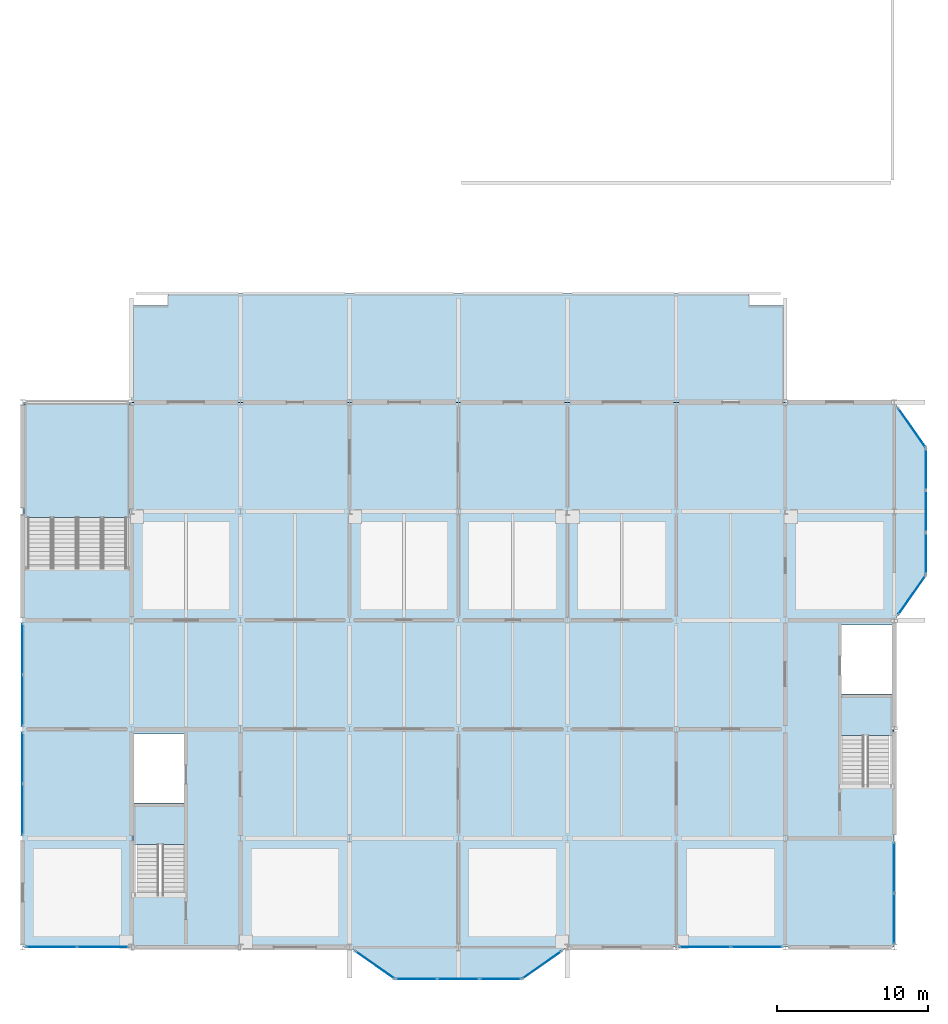
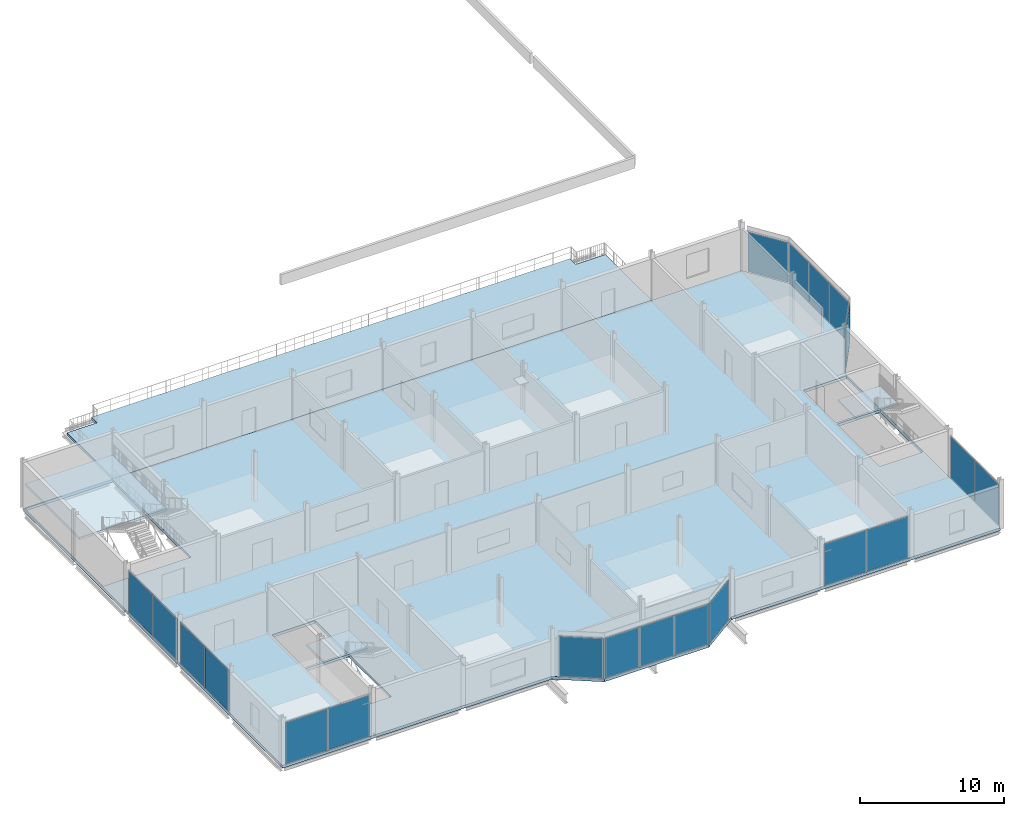
# One storey, part 17 of 26: 20 plates, 5 slabs, 14 elements without a shape of their own.
"""IFC4 building model written with IfcOpenShell, lengths in metres."""

import ifcopenshell
import ifcopenshell.guid

model = None  # the IFC model being written
_history = None  # IfcOwnerHistory: only IFC2X3 demands one
_inside = {}  # id of a spatial element -> (the spatial element, [elements in it])
_under = {}  # id of a project, library or spatial element -> (it, [spatial elements below it])
_declared = {}  # id of a project -> (the project, [libraries it declares])
_typed = {}  # id of a type object -> (the type object, [elements of that type])
_made_of = {}  # id of a material, layer set ... -> (it, [elements and type objects made of it])


def new_model(schema):
    """Start an empty IFC model of exactly this schema.

    Asked for "IFC4X3", IfcOpenShell would pick the latest addendum, in which some entities
    have other attributes; the version numbers below select the first issue.
    IFC2X3 requires an IfcOwnerHistory on every rooted entity: one is made here for all.
    """
    global model, _history
    if schema == "IFC4X3":
        model = ifcopenshell.file(schema_version=(4, 3, 0, 0))
    else:
        model = ifcopenshell.file(schema=schema)
    _inside.clear()
    _under.clear()
    _declared.clear()
    _typed.clear()
    _made_of.clear()
    _history = None
    if model.schema == "IFC2X3":
        org = make("IfcOrganization", Name="unknown")
        user = make(
            "IfcPersonAndOrganization",
            ThePerson=make("IfcPerson", FamilyName="unknown"),
            TheOrganization=org,
        )
        app = make(
            "IfcApplication",
            ApplicationDeveloper=org,
            Version="unknown",
            ApplicationFullName="unknown",
            ApplicationIdentifier="unknown",
        )
        _history = make(
            "IfcOwnerHistory",
            OwningUser=user,
            OwningApplication=app,
            ChangeAction="ADDED",
            CreationDate=0,
        )
    return model


def make(cls, **values):
    """One entity of the class cls with the attributes given. An attribute that is None is left unset."""
    return model.create_entity(
        cls, **{name: value for name, value in values.items() if value is not None}
    )


def rooted(cls, **values):
    """An entity with a GlobalId (a new one), such as an element, a storey or a relation."""
    return make(cls, GlobalId=ifcopenshell.guid.new(), OwnerHistory=_history, **values)


def si_unit(unit_type, name, prefix=None):
    """IfcSIUnit, for example si_unit("LENGTHUNIT", "METRE", prefix="MILLI")."""
    return make("IfcSIUnit", UnitType=unit_type, Prefix=prefix, Name=name)


def assignment(units):
    """IfcUnitAssignment: the units of a project."""
    return None if units is None else make("IfcUnitAssignment", Units=units)


def point(xyz):
    """IfcCartesianPoint."""
    return None if xyz is None else make("IfcCartesianPoint", Coordinates=xyz)


def direction(xyz):
    """IfcDirection."""
    return None if xyz is None else make("IfcDirection", DirectionRatios=xyz)


def frame(location, z_axis=None, x_axis=None):
    """IfcAxis2Placement3D, a coordinate frame: its origin and axes. An axis left out is left unset."""
    return make(
        "IfcAxis2Placement3D",
        Location=point(location),
        Axis=direction(z_axis),
        RefDirection=direction(x_axis),
    )


def frame_2d(location, x_axis=None):
    """IfcAxis2Placement2D, a coordinate frame in the plane: its origin and x axis."""
    return make(
        "IfcAxis2Placement2D", Location=point(location), RefDirection=direction(x_axis)
    )


def origin():
    """The frame at (0, 0, 0) with its axes left unset."""
    return frame((0.0, 0.0, 0.0))


def origin_2d():
    """The frame at (0, 0) in the plane with its x axis left unset."""
    return frame_2d((0.0, 0.0))


def place(relative_to, where):
    """IfcLocalPlacement: puts the frame where relative to a parent placement (None: the world)."""
    return make(
        "IfcLocalPlacement", PlacementRelTo=relative_to, RelativePlacement=where
    )


def context(
    kind, dimensions, precision=None, world=None, true_north=None, identifier=None
):
    """IfcGeometricRepresentationContext, for example the 3D "Model" context."""
    return make(
        "IfcGeometricRepresentationContext",
        ContextIdentifier=identifier,
        ContextType=kind,
        CoordinateSpaceDimension=dimensions,
        Precision=precision,
        WorldCoordinateSystem=world,
        TrueNorth=true_north,
    )


def subcontext(parent, identifier, kind, view, scale=None):
    """IfcGeometricRepresentationSubContext, for example "Body" below "Model"."""
    return make(
        "IfcGeometricRepresentationSubContext",
        ContextIdentifier=identifier,
        ContextType=kind,
        ParentContext=parent,
        TargetScale=scale,
        TargetView=view,
    )


def project(units=None, contexts=None):
    """IfcProject with its units and contexts."""
    return rooted(
        "IfcProject",
        Name="project",
        RepresentationContexts=contexts,
        UnitsInContext=assignment(units),
    )


def spatial(cls, under=None, at=None, **own):
    """A site, building, storey or space (cls), placed at a placement, below another one or the project."""
    s = rooted(cls, ObjectPlacement=at, **own)
    if under is not None:
        _under.setdefault(under.id(), (under, []))[1].append(s)
    return s


def polyline(points):
    """IfcPolyline through the points."""
    return make("IfcPolyline", Points=[point(p) for p in points])


def profile(cls, at=None, kind="AREA", **sizes):
    """A parametric profile (cls). Its sizes go by their IFC names, for example OverallWidth=200.0."""
    return make(cls, ProfileType=kind, Position=at, **sizes)


def rectangle(**sizes):
    """IfcRectangleProfileDef."""
    return profile("IfcRectangleProfileDef", **sizes)


def outline(outer, holes=None, kind="AREA"):
    """IfcArbitraryClosedProfileDef: a profile drawn as a closed curve; with holes, ...WithVoids."""
    if holes is None:
        return make("IfcArbitraryClosedProfileDef", ProfileType=kind, OuterCurve=outer)
    return make(
        "IfcArbitraryProfileDefWithVoids",
        ProfileType=kind,
        OuterCurve=outer,
        InnerCurves=holes,
    )


def extrude(swept, where, along, depth):
    """IfcExtrudedAreaSolid: the profile swept, set in the frame where, extruded along a direction by depth."""
    return make(
        "IfcExtrudedAreaSolid",
        SweptArea=swept,
        Position=where,
        ExtrudedDirection=direction(along),
        Depth=depth,
    )


def shape(context_of_items, identifier, shape_type, items):
    """IfcShapeRepresentation: the items that make up one representation, for example the "Body"."""
    return make(
        "IfcShapeRepresentation",
        ContextOfItems=context_of_items,
        RepresentationIdentifier=identifier,
        RepresentationType=shape_type,
        Items=items,
    )


def material(Name=None, Category=None):
    """IfcMaterial."""
    return make("IfcMaterial", Name=Name, Category=Category)


def layer(
    of_material, thickness, ventilated=None, Name=None, Category=None, Priority=None
):
    """IfcMaterialLayer: one layer of a wall or slab, of a material (None: an air gap)."""
    return make(
        "IfcMaterialLayer",
        Material=of_material,
        LayerThickness=thickness,
        IsVentilated=ventilated,
        Name=Name,
        Category=Category,
        Priority=Priority,
    )


def layer_set(layers, Name=None):
    """IfcMaterialLayerSet."""
    return make("IfcMaterialLayerSet", MaterialLayers=layers, LayerSetName=Name)


def made_of(thing, what):
    """Note that an element or type object is made of a material, layer set ...; save() writes the relation."""
    if what is not None:
        _made_of.setdefault(what.id(), (what, []))[1].append(thing)
    return thing


def type_object(cls, material=None, **own):
    """A type object (cls), such as IfcWallType, which elements share."""
    return made_of(rooted(cls, **own), material)


def element(
    cls,
    number,
    at=None,
    inside=None,
    cuts=None,
    type_object=None,
    material=None,
    context=None,
    identifier="Body",
    shape_type=None,
    held_by="IfcProductDefinitionShape",
    body=None,
    shapes=None,
    **own,
):
    """One element of the class cls, such as IfcWall. Its Tag is "e" and its number.

    at: its placement. inside: the storey or other place that contains it. cuts: it is an
    opening in that element (IfcRelVoidsElement). A single representation is given by context,
    identifier, shape_type and body (its items); several are given by shapes. held_by: the class
    of the entity that holds the representations. save() writes the other relations.
    """
    e = rooted(cls, Tag="e%d" % number, ObjectPlacement=at, **own)
    if body is not None:
        shapes = [shape(context, identifier, shape_type, body)]
    if shapes is not None:
        e.Representation = make(held_by, Representations=shapes)
    if inside is not None:
        _inside.setdefault(inside.id(), (inside, []))[1].append(e)
    if cuts is not None:
        rooted(
            "IfcRelVoidsElement", RelatingBuildingElement=cuts, RelatedOpeningElement=e
        )
    if type_object is not None:
        _typed.setdefault(type_object.id(), (type_object, []))[1].append(e)
    return made_of(e, material)


def aggregate(whole, parts):
    """IfcRelAggregates: a whole, such as a stair, and the parts it consists of."""
    return rooted("IfcRelAggregates", RelatingObject=whole, RelatedObjects=parts)


def save(model, path):
    """Write the relations noted so far, then the file.

    IfcRelAggregates (storeys below a building ...), IfcRelContainedInSpatialStructure (elements
    in a storey), IfcRelDefinesByType, IfcRelAssociatesMaterial and IfcRelDeclares: one each for
    every whole, place, type object, material and project.
    """
    for whole, parts in _under.values():
        aggregate(whole, parts)
    for where, things in _inside.values():
        rooted(
            "IfcRelContainedInSpatialStructure",
            RelatedElements=things,
            RelatingStructure=where,
        )
    for kind, things in _typed.values():
        rooted("IfcRelDefinesByType", RelatedObjects=things, RelatingType=kind)
    for what, things in _made_of.values():
        rooted("IfcRelAssociatesMaterial", RelatedObjects=things, RelatingMaterial=what)
    for by, libraries in _declared.values():
        rooted("IfcRelDeclares", RelatingContext=by, RelatedDefinitions=libraries)
    model.write(path)


model = new_model("IFC4")

# Units and contexts
model_context = context("Model", 3, precision=1e-05, world=origin(), true_north=direction((0.0, 1.0)))
body_context = subcontext(model_context, "Body", "Model", "MODEL_VIEW")
ifc_project = project(units=[si_unit("LENGTHUNIT", "METRE"), si_unit("AREAUNIT", "SQUARE_METRE"), si_unit("VOLUMEUNIT", "CUBIC_METRE"), si_unit("PLANEANGLEUNIT", "RADIAN"), si_unit("MASSUNIT", "GRAM", prefix="KILO")], contexts=[model_context])

# Site, building, storey
site_placement = place(None, origin())
site = spatial("IfcSite", under=ifc_project, at=site_placement, CompositionType="ELEMENT")
building_placement = place(site_placement, origin())
building = spatial("IfcBuilding", under=site, at=building_placement, Name="Vesperath Aquatics Centre", CompositionType="ELEMENT")
storey_placement = place(building_placement, frame((0.0, 0.0, 19.199951171875)))
storey = spatial("IfcBuildingStorey", under=building, at=storey_placement, Name="L04", CompositionType="ELEMENT", Elevation=19.199951171875)

# Curtain wall, plate
ifc_material_1 = material(Name="Thermally broken anodised bronze aluminium curtain wall", Category="aluminium")
curtain_wall_type_1 = type_object("IfcCurtainWallType", Name="CW-03", PredefinedType="NOTDEFINED", material=ifc_material_1)
curtain_wall_1_placement = place(storey_placement, origin())
curtain_wall_1 = element("IfcCurtainWall", 1, at=curtain_wall_1_placement, inside=storey, type_object=curtain_wall_type_1, Name="South Boulevard Bow Oriel Curtain Wall L04-W", PredefinedType="NOTDEFINED")
ifc_material_2 = material(Name="Triple low-E argon insulated vision glass", Category="glass")
ifc_layer_1 = layer(ifc_material_2, 0.035888671875)
ifc_layer_set_1 = layer_set([ifc_layer_1], Name="Triple low-E argon insulated vision glass")
plate_type_1 = type_object("IfcPlateType", Name="PT-CWP03", PredefinedType="CURTAIN_PANEL", material=ifc_layer_set_1)
plate_1_placement = place(storey_placement, frame((138.47998046875, -1.176025390625, 0.070068359375), z_axis=(0.0, 0.0, 1.0), x_axis=(0.819231920515, -0.57346234437, 0.0)))
plate_1 = element("IfcPlate", 2, at=plate_1_placement, type_object=plate_type_1, Name="CW03 panel 1.1", PredefinedType="CURTAIN_PANEL", context=body_context, shape_type="SweptSolid", body=[
    extrude(rectangle(XDim=3.08251953125, YDim=0.035888671875, at=origin_2d()), origin(), (0.0, 0.0, 1.0), 3.3701171875),
])
aggregate(curtain_wall_1, [plate_1])

# Curtain wall, plates
curtain_wall_2_placement = place(storey_placement, origin())
curtain_wall_2 = element("IfcCurtainWall", 3, at=curtain_wall_2_placement, inside=storey, type_object=curtain_wall_type_1, Name="South Boulevard Bow Oriel Curtain Wall L04-C", PredefinedType="NOTDEFINED")
plate_2_placement = place(storey_placement, frame((141.217529296875, -2.10009765625, 0.070068359375), z_axis=(0.0, 0.0, 1.0), x_axis=(1.0, 0.0, 0.0)))
plate_2 = element("IfcPlate", 4, at=plate_2_placement, type_object=plate_type_1, Name="CW03 panel 1.1", PredefinedType="CURTAIN_PANEL", context=body_context, shape_type="SweptSolid", body=[
    extrude(rectangle(XDim=2.695068359375, YDim=0.035888671875, at=origin_2d()), origin(), (0.0, 0.0, 1.0), 3.3701171875),
])
plate_3_placement = place(storey_placement, frame((144.0, -2.10009765625, 0.070068359375), z_axis=(0.0, 0.0, 1.0), x_axis=(1.0, 0.0, 0.0)))
plate_3 = element("IfcPlate", 5, at=plate_3_placement, type_object=plate_type_1, Name="CW03 panel 2.1", PredefinedType="CURTAIN_PANEL", context=body_context, shape_type="SweptSolid", body=[
    extrude(rectangle(XDim=2.72998046875, YDim=0.035888671875, at=origin_2d()), origin(), (0.0, 0.0, 1.0), 3.3701171875),
])
plate_4_placement = place(storey_placement, frame((146.782470703125, -2.10009765625, 0.070068359375), z_axis=(0.0, 0.0, 1.0), x_axis=(1.0, 0.0, 0.0)))
plate_4 = element("IfcPlate", 6, at=plate_4_placement, type_object=plate_type_1, Name="CW03 panel 3.1", PredefinedType="CURTAIN_PANEL", context=body_context, shape_type="SweptSolid", body=[
    extrude(rectangle(XDim=2.695068359375, YDim=0.035888671875, at=origin_2d()), origin(), (0.0, 0.0, 1.0), 3.3701171875),
])
aggregate(curtain_wall_2, [plate_2, plate_3, plate_4])

# Curtain wall, plate
curtain_wall_3_placement = place(storey_placement, origin())
curtain_wall_3 = element("IfcCurtainWall", 7, at=curtain_wall_3_placement, inside=storey, type_object=curtain_wall_type_1, Name="South Boulevard Bow Oriel Curtain Wall L04-E", PredefinedType="NOTDEFINED")
plate_5_placement = place(storey_placement, frame((149.52001953125, -1.176025390625, 0.070068359375), z_axis=(0.0, 0.0, 1.0), x_axis=(0.819231920515, 0.57346234437, 0.0)))
plate_5 = element("IfcPlate", 8, at=plate_5_placement, type_object=plate_type_1, Name="CW03 panel 1.1", PredefinedType="CURTAIN_PANEL", context=body_context, shape_type="SweptSolid", body=[
    extrude(rectangle(XDim=3.08251953125, YDim=0.035888671875, at=origin_2d()), origin(), (0.0, 0.0, 1.0), 3.3701171875),
])
aggregate(curtain_wall_3, [plate_5])

# Curtain wall, plates
curtain_wall_type_2 = type_object("IfcCurtainWallType", Name="CW-07", PredefinedType="NOTDEFINED", material=ifc_material_1)
curtain_wall_4_placement = place(storey_placement, origin())
curtain_wall_4 = element("IfcCurtainWall", 9, at=curtain_wall_4_placement, inside=storey, type_object=curtain_wall_type_2, Name="Facade Curtain Wall CW07 L04_S_16_00", PredefinedType="NOTDEFINED")
ifc_layer_2 = layer(ifc_material_2, 0.035888671875)
ifc_layer_set_2 = layer_set([ifc_layer_2], Name="Triple low-E argon insulated vision glass")
plate_type_2 = type_object("IfcPlateType", Name="PT-CWP06", PredefinedType="CURTAIN_PANEL", material=ifc_layer_set_2)
plate_6_placement = place(storey_placement, frame((117.103759765625, 0.0, 0.06494140625), z_axis=(0.0, 0.0, 1.0), x_axis=(1.0, 0.0, 0.0)))
plate_6 = element("IfcPlate", 10, at=plate_6_placement, type_object=plate_type_2, Name="CW07 panel 1.1", PredefinedType="CURTAIN_PANEL", context=body_context, shape_type="SweptSolid", body=[
    extrude(rectangle(XDim=3.327392578125, YDim=0.035888671875, at=origin_2d()), origin(), (0.0, 0.0, 1.0), 3.510009765625),
])
plate_7_placement = place(storey_placement, frame((120.496337890625, 0.0, 0.06494140625), z_axis=(0.0, 0.0, 1.0), x_axis=(1.0, 0.0, 0.0)))
plate_7 = element("IfcPlate", 11, at=plate_7_placement, type_object=plate_type_2, Name="CW07 panel 2.1", PredefinedType="CURTAIN_PANEL", context=body_context, shape_type="SweptSolid", body=[
    extrude(rectangle(XDim=3.327392578125, YDim=0.035888671875, at=origin_2d()), origin(), (0.0, 0.0, 1.0), 3.510009765625),
])
aggregate(curtain_wall_4, [plate_6, plate_7])

curtain_wall_5_placement = place(storey_placement, origin())
curtain_wall_5 = element("IfcCurtainWall", 12, at=curtain_wall_5_placement, inside=storey, type_object=curtain_wall_type_2, Name="Facade Curtain Wall CW07 L04_S_22_00", PredefinedType="NOTDEFINED")
plate_8_placement = place(storey_placement, frame((160.3037109375, 0.0, 0.06494140625), z_axis=(0.0, 0.0, 1.0), x_axis=(1.0, 0.0, 0.0)))
plate_8 = element("IfcPlate", 13, at=plate_8_placement, type_object=plate_type_2, Name="CW07 panel 1.1", PredefinedType="CURTAIN_PANEL", context=body_context, shape_type="SweptSolid", body=[
    extrude(rectangle(XDim=3.327392578125, YDim=0.035888671875, at=origin_2d()), origin(), (0.0, 0.0, 1.0), 3.510009765625),
])
plate_9_placement = place(storey_placement, frame((163.6962890625, 0.0, 0.06494140625), z_axis=(0.0, 0.0, 1.0), x_axis=(1.0, 0.0, 0.0)))
plate_9 = element("IfcPlate", 14, at=plate_9_placement, type_object=plate_type_2, Name="CW07 panel 2.1", PredefinedType="CURTAIN_PANEL", context=body_context, shape_type="SweptSolid", body=[
    extrude(rectangle(XDim=3.327392578125, YDim=0.035888671875, at=origin_2d()), origin(), (0.0, 0.0, 1.0), 3.510009765625),
])
aggregate(curtain_wall_5, [plate_8, plate_9])

curtain_wall_6_placement = place(storey_placement, origin())
curtain_wall_6 = element("IfcCurtainWall", 15, at=curtain_wall_6_placement, inside=storey, type_object=curtain_wall_type_2, Name="Facade Curtain Wall CW07 L04_W_16_01", PredefinedType="NOTDEFINED")
plate_10_placement = place(storey_placement, frame((115.199951171875, 9.103759765625, 0.06494140625), z_axis=(0.0, 0.0, 1.0), x_axis=(0.0, 1.0, 0.0)))
plate_10 = element("IfcPlate", 16, at=plate_10_placement, type_object=plate_type_2, Name="CW07 panel 1.1", PredefinedType="CURTAIN_PANEL", context=body_context, shape_type="SweptSolid", body=[
    extrude(rectangle(XDim=3.327392578125, YDim=0.035888671875, at=origin_2d()), origin(), (0.0, 0.0, 1.0), 3.510009765625),
])
plate_11_placement = place(storey_placement, frame((115.199951171875, 12.496337890625, 0.06494140625), z_axis=(0.0, 0.0, 1.0), x_axis=(0.0, 1.0, 0.0)))
plate_11 = element("IfcPlate", 17, at=plate_11_placement, type_object=plate_type_2, Name="CW07 panel 2.1", PredefinedType="CURTAIN_PANEL", context=body_context, shape_type="SweptSolid", body=[
    extrude(rectangle(XDim=3.327392578125, YDim=0.035888671875, at=origin_2d()), origin(), (0.0, 0.0, 1.0), 3.510009765625),
])
aggregate(curtain_wall_6, [plate_10, plate_11])

curtain_wall_7_placement = place(storey_placement, origin())
curtain_wall_7 = element("IfcCurtainWall", 18, at=curtain_wall_7_placement, inside=storey, type_object=curtain_wall_type_2, Name="Facade Curtain Wall CW07 L04_W_16_02", PredefinedType="NOTDEFINED")
plate_12_placement = place(storey_placement, frame((115.199951171875, 16.3037109375, 0.06494140625), z_axis=(0.0, 0.0, 1.0), x_axis=(0.0, 1.0, 0.0)))
plate_12 = element("IfcPlate", 19, at=plate_12_placement, type_object=plate_type_2, Name="CW07 panel 1.1", PredefinedType="CURTAIN_PANEL", context=body_context, shape_type="SweptSolid", body=[
    extrude(rectangle(XDim=3.327392578125, YDim=0.035888671875, at=origin_2d()), origin(), (0.0, 0.0, 1.0), 3.510009765625),
])
plate_13_placement = place(storey_placement, frame((115.199951171875, 19.6962890625, 0.06494140625), z_axis=(0.0, 0.0, 1.0), x_axis=(0.0, 1.0, 0.0)))
plate_13 = element("IfcPlate", 20, at=plate_13_placement, type_object=plate_type_2, Name="CW07 panel 2.1", PredefinedType="CURTAIN_PANEL", context=body_context, shape_type="SweptSolid", body=[
    extrude(rectangle(XDim=3.327392578125, YDim=0.035888671875, at=origin_2d()), origin(), (0.0, 0.0, 1.0), 3.510009765625),
])
aggregate(curtain_wall_7, [plate_12, plate_13])

curtain_wall_8_placement = place(storey_placement, origin())
curtain_wall_8 = element("IfcCurtainWall", 21, at=curtain_wall_8_placement, inside=storey, type_object=curtain_wall_type_2, Name="Facade Curtain Wall CW07 L04_E_24_00", PredefinedType="NOTDEFINED")
plate_14_placement = place(storey_placement, frame((172.800048828125, 1.886474609375, 0.06494140625), z_axis=(0.0, 0.0, 1.0), x_axis=(0.0, 1.0, 0.0)))
plate_14 = element("IfcPlate", 22, at=plate_14_placement, type_object=plate_type_2, Name="CW07 panel 1.1", PredefinedType="CURTAIN_PANEL", context=body_context, shape_type="SweptSolid", body=[
    extrude(rectangle(XDim=3.29296875, YDim=0.035888671875, at=origin_2d()), origin(), (0.0, 0.0, 1.0), 3.510009765625),
])
plate_15_placement = place(storey_placement, frame((172.800048828125, 5.244384765625, 0.06494140625), z_axis=(0.0, 0.0, 1.0), x_axis=(0.0, 1.0, 0.0)))
plate_15 = element("IfcPlate", 23, at=plate_15_placement, type_object=plate_type_2, Name="CW07 panel 2.1", PredefinedType="CURTAIN_PANEL", context=body_context, shape_type="SweptSolid", body=[
    extrude(rectangle(XDim=3.29296875, YDim=0.035888671875, at=origin_2d()), origin(), (0.0, 0.0, 1.0), 3.510009765625),
])
aggregate(curtain_wall_8, [plate_14, plate_15])

# Curtain wall, plate
curtain_wall_9_placement = place(storey_placement, origin())
curtain_wall_9 = element("IfcCurtainWall", 24, at=curtain_wall_9_placement, inside=storey, type_object=curtain_wall_type_2, Name="East Avenue Bow Oriel Curtain Wall L04-S", PredefinedType="NOTDEFINED")
plate_16_placement = place(storey_placement, frame((173.97607421875, 23.280029296875, 0.070068359375), z_axis=(0.0, 0.0, 1.0), x_axis=(0.57346234437, 0.819231920515, 0.0)))
plate_16 = element("IfcPlate", 25, at=plate_16_placement, type_object=plate_type_2, Name="CW07 panel 1.1", PredefinedType="CURTAIN_PANEL", context=body_context, shape_type="SweptSolid", body=[
    extrude(rectangle(XDim=3.08251953125, YDim=0.035888671875, at=origin_2d()), origin(), (0.0, 0.0, 1.0), 3.3701171875),
])
aggregate(curtain_wall_9, [plate_16])

# Curtain wall, plates
curtain_wall_10_placement = place(storey_placement, origin())
curtain_wall_10 = element("IfcCurtainWall", 26, at=curtain_wall_10_placement, inside=storey, type_object=curtain_wall_type_2, Name="East Avenue Bow Oriel Curtain Wall L04-C", PredefinedType="NOTDEFINED")
plate_17_placement = place(storey_placement, frame((174.89990234375, 26.017578125, 0.070068359375), z_axis=(0.0, 0.0, 1.0), x_axis=(0.0, 1.0, 0.0)))
plate_17 = element("IfcPlate", 27, at=plate_17_placement, type_object=plate_type_2, Name="CW07 panel 1.1", PredefinedType="CURTAIN_PANEL", context=body_context, shape_type="SweptSolid", body=[
    extrude(rectangle(XDim=2.695068359375, YDim=0.035888671875, at=origin_2d()), origin(), (0.0, 0.0, 1.0), 3.3701171875),
])
plate_18_placement = place(storey_placement, frame((174.89990234375, 28.800048828125, 0.070068359375), z_axis=(0.0, 0.0, 1.0), x_axis=(0.0, 1.0, 0.0)))
plate_18 = element("IfcPlate", 28, at=plate_18_placement, type_object=plate_type_2, Name="CW07 panel 2.1", PredefinedType="CURTAIN_PANEL", context=body_context, shape_type="SweptSolid", body=[
    extrude(rectangle(XDim=2.72998046875, YDim=0.035888671875, at=origin_2d()), origin(), (0.0, 0.0, 1.0), 3.3701171875),
])
plate_19_placement = place(storey_placement, frame((174.89990234375, 31.58251953125, 0.070068359375), z_axis=(0.0, 0.0, 1.0), x_axis=(0.0, 1.0, 0.0)))
plate_19 = element("IfcPlate", 29, at=plate_19_placement, type_object=plate_type_2, Name="CW07 panel 3.1", PredefinedType="CURTAIN_PANEL", context=body_context, shape_type="SweptSolid", body=[
    extrude(rectangle(XDim=2.695068359375, YDim=0.035888671875, at=origin_2d()), origin(), (0.0, 0.0, 1.0), 3.3701171875),
])
aggregate(curtain_wall_10, [plate_17, plate_18, plate_19])

# Curtain wall, plate
curtain_wall_11_placement = place(storey_placement, origin())
curtain_wall_11 = element("IfcCurtainWall", 30, at=curtain_wall_11_placement, inside=storey, type_object=curtain_wall_type_2, Name="East Avenue Bow Oriel Curtain Wall L04-N", PredefinedType="NOTDEFINED")
plate_20_placement = place(storey_placement, frame((173.97607421875, 34.320068359375, 0.070068359375), z_axis=(0.0, 0.0, 1.0), x_axis=(-0.57346234437, 0.819231920515, 0.0)))
plate_20 = element("IfcPlate", 31, at=plate_20_placement, type_object=plate_type_2, Name="CW07 panel 1.1", PredefinedType="CURTAIN_PANEL", context=body_context, shape_type="SweptSolid", body=[
    extrude(rectangle(XDim=3.08251953125, YDim=0.035888671875, at=origin_2d()), origin(), (0.0, 0.0, 1.0), 3.3701171875),
])
aggregate(curtain_wall_11, [plate_20])

# Slab
ifc_material_3 = material(Name="Concrete C35", Category="concrete")
ifc_layer_3 = layer(ifc_material_3, 0.239990234375)
ifc_layer_set_3 = layer_set([ifc_layer_3], Name="Concrete C35")
slab_type_1 = type_object("IfcSlabType", Name="SL-FL03", PredefinedType="FLOOR", material=ifc_layer_set_3)
slab_1_placement = place(storey_placement, frame((0.0, 0.0, -0.239990234375)))
element("IfcSlab", 32, at=slab_1_placement, inside=storey, type_object=slab_type_1, Name="Wellness Spa and Seminar Slab SL03 L04", PredefinedType="FLOOR", context=body_context, shape_type="SweptSolid", body=[
    extrude(outline(polyline([(115.199951171875, 0.0), (136.800048828125, 0.0), (139.800048828125, -2.10009765625), (148.199951171875, -2.10009765625), (151.199951171875, 0.0), (172.800048828125, 0.0), (172.800048828125, 21.60009765625), (174.89990234375, 24.60009765625), (174.89990234375, 33.0), (172.800048828125, 36.0), (115.199951171875, 36.0), (115.199951171875, 0.0)]), holes=[polyline([(122.47998046875, 3.449951171875), (125.93994140625, 3.449951171875), (125.93994140625, 9.360107421875), (122.47998046875, 9.360107421875), (122.47998046875, 3.449951171875)]), polyline([(122.47998046875, 9.5400390625), (125.93994140625, 9.5400390625), (125.93994140625, 14.080078125), (122.47998046875, 14.080078125), (122.47998046875, 9.5400390625)]), polyline([(169.260009765625, 10.64990234375), (172.719970703125, 10.64990234375), (172.719970703125, 16.56005859375), (169.260009765625, 16.56005859375), (169.260009765625, 10.64990234375)]), polyline([(169.260009765625, 16.739990234375), (172.719970703125, 16.739990234375), (172.719970703125, 21.280029296875), (169.260009765625, 21.280029296875), (169.260009765625, 16.739990234375)]), polyline([(115.280029296875, 25.050048828125), (122.320068359375, 25.050048828125), (122.320068359375, 35.919921875), (115.280029296875, 35.919921875), (115.280029296875, 25.050048828125)])]), origin(), (0.0, 0.0, 1.0), 0.239990234375),
])

# Stair, slab
stair_type_1 = type_object("IfcStairType", Name="ST-HT42", PredefinedType="HALF_TURN_STAIR", material=ifc_material_3)
stair_1_placement = place(storey_placement, origin())
stair_1 = element("IfcStair", 33, at=stair_1_placement, inside=storey, type_object=stair_type_1, Name="Enclosed Exit Stair ST5 L04", PredefinedType="HALF_TURN_STAIR")
ifc_layer_4 = layer(ifc_material_3, 0.199951171875)
ifc_layer_set_4 = layer_set([ifc_layer_4], Name="Concrete C35")
slab_type_2 = type_object("IfcSlabType", Name="SL-LND1", PredefinedType="LANDING", material=ifc_layer_set_4)
slab_2_placement = place(storey_placement, frame((0.0, 0.0, 1.900146484375)))
slab_2 = element("IfcSlab", 34, at=slab_2_placement, type_object=slab_type_2, Name="Stair ST5 Half-Landing L04", PredefinedType="LANDING", context=body_context, shape_type="SweptSolid", body=[
    extrude(outline(polyline([(122.489990234375, 6.780029296875), (125.919921875, 6.780029296875), (125.919921875, 9.300048828125), (122.489990234375, 9.300048828125), (122.489990234375, 6.780029296875)])), origin(), (0.0, 0.0, 1.0), 0.199951171875),
])
aggregate(stair_1, [slab_2])

stair_type_2 = type_object("IfcStairType", Name="ST-HW42", PredefinedType="HALF_TURN_STAIR", material=ifc_material_3)
stair_2_placement = place(storey_placement, origin())
stair_2 = element("IfcStair", 35, at=stair_2_placement, inside=storey, type_object=stair_type_2, Name="Enclosed Exit Stair ST7A L04", PredefinedType="HALF_TURN_STAIR")
slab_3_placement = place(storey_placement, frame((0.0, 0.0, 1.900146484375)))
slab_3 = element("IfcSlab", 36, at=slab_3_placement, type_object=slab_type_2, Name="Stairs ST7A and ST7B Half-Landing L04", PredefinedType="LANDING", context=body_context, shape_type="SweptSolid", body=[
    extrude(outline(polyline([(115.2900390625, 28.3798828125), (122.31005859375, 28.3798828125), (122.31005859375, 35.909912109375), (115.2900390625, 35.909912109375), (115.2900390625, 28.3798828125)])), origin(), (0.0, 0.0, 1.0), 0.199951171875),
])
aggregate(stair_2, [slab_3])

stair_3_placement = place(storey_placement, origin())
stair_3 = element("IfcStair", 37, at=stair_3_placement, inside=storey, type_object=stair_type_1, Name="Enclosed Exit Stair ST6 L04", PredefinedType="HALF_TURN_STAIR")
ifc_layer_5 = layer(ifc_material_3, 0.18994140625)
ifc_layer_set_5 = layer_set([ifc_layer_5], Name="Concrete C35")
slab_type_3 = type_object("IfcSlabType", Name="SL-LND2", PredefinedType="LANDING", material=ifc_layer_set_5)
slab_4_placement = place(storey_placement, frame((0.0, 0.0, 1.91015625)))
slab_4 = element("IfcSlab", 38, at=slab_4_placement, type_object=slab_type_3, Name="Stair ST6 Half-Landing L04", PredefinedType="LANDING", context=body_context, shape_type="SweptSolid", body=[
    extrude(outline(polyline([(169.280029296875, 13.97998046875), (172.7099609375, 13.97998046875), (172.7099609375, 16.5), (169.280029296875, 16.5), (169.280029296875, 13.97998046875)])), origin(), (0.0, 0.0, 1.0), 0.18994140625),
])
aggregate(stair_3, [slab_4])

# Slab
ifc_layer_6 = layer(ifc_material_3, 0.215087890625)
ifc_layer_set_6 = layer_set([ifc_layer_6], Name="Concrete C35")
slab_type_4 = type_object("IfcSlabType", Name="SL-TR01", PredefinedType="FLOOR", material=ifc_layer_set_6)
slab_5_placement = place(storey_placement, frame((0.0, 0.0, -0.21484375)))
element("IfcSlab", 39, at=slab_5_placement, inside=storey, type_object=slab_type_4, Name="Wellness Sun Terrace TR01 L04", PredefinedType="FLOOR", context=body_context, shape_type="SweptSolid", body=[
    extrude(outline(polyline([(122.39990234375, 36.0), (165.60009765625, 36.0), (165.60009765625, 42.39990234375), (163.199951171875, 42.39990234375), (163.199951171875, 43.199951171875), (124.800048828125, 43.199951171875), (124.800048828125, 42.39990234375), (122.39990234375, 42.39990234375), (122.39990234375, 36.0)])), origin(), (0.0, 0.0, 1.0), 0.21484375),
])

save(model, "model.ifc")
